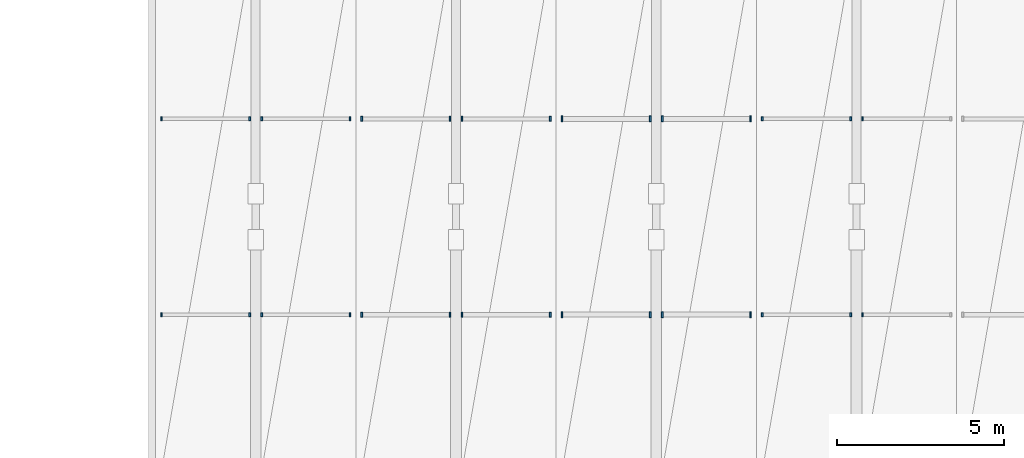
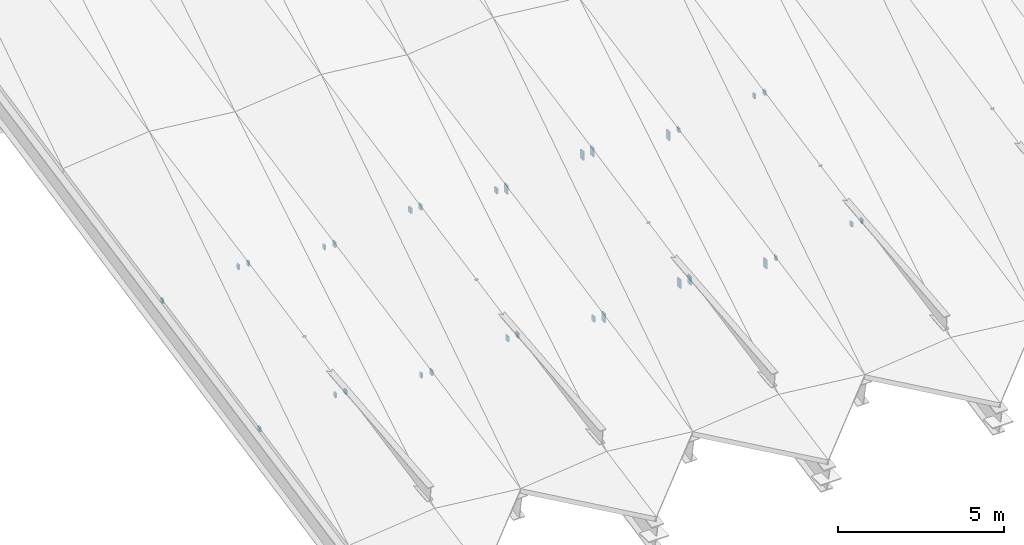
# One storey, part 32 of 52: 30 discrete accessories.
"""IFC4 building model written with IfcOpenShell, lengths in metres."""

from ifc_helpers import new_model, si_unit, direction, frame, origin, origin_2d, place, context, subcontext, project, spatial, rectangle, extrude, material, layer, layer_set, type_object, element, save


model = new_model("IFC4")

# Units and contexts
model_context = context("Model", 3, precision=1e-05, world=origin(), true_north=direction((0.0, 1.0)))
body_context = subcontext(model_context, "Body", "Model", "MODEL_VIEW")
ifc_project = project(units=[si_unit("LENGTHUNIT", "METRE"), si_unit("AREAUNIT", "SQUARE_METRE"), si_unit("VOLUMEUNIT", "CUBIC_METRE"), si_unit("PLANEANGLEUNIT", "RADIAN"), si_unit("MASSUNIT", "GRAM", prefix="KILO")], contexts=[model_context])

# Site, building, storey
site_placement = place(None, origin())
site = spatial("IfcSite", under=ifc_project, at=site_placement, CompositionType="ELEMENT")
building_placement = place(site_placement, origin())
building = spatial("IfcBuilding", under=site, at=building_placement, Name="Vaelkrest Opera House", CompositionType="ELEMENT")
storey_placement = place(building_placement, frame((0.0, 0.0, 41.39990234375)))
storey = spatial("IfcBuildingStorey", under=building, at=storey_placement, Name="ROOF", CompositionType="ELEMENT", Elevation=41.39990234375)

# Discrete accessories
ifc_material = material(Name="Steel A572 Gr50", Category="steel")
ifc_layer = layer(ifc_material, 0.320068359375)
ifc_layer_set = layer_set([ifc_layer], Name="Steel A572 Gr50")
discrete_accessory_type = type_object("IfcDiscreteAccessoryType", Name="ECP01", PredefinedType="USERDEFINED", material=ifc_layer_set)
for number, where, z_axis, x_axis, name in (
    (1, (-75.422607421875, -11.10791015625, -16.685791015625), (0.0, 0.0, 1.0), (1.0, 0.0, 0.0), "Purlin HSS end cap plate V3-01-S1-33-W0"),
    (2, (-72.777587890625, -11.10791015625, -16.36181640625), (0.0, 0.0, 1.0), (1.0, 0.0, 0.0), "Purlin HSS end cap plate V3-01-S1-33-W1"),
    (3, (-72.422607421875, -11.10791015625, -16.36181640625), (0.0, 0.0, 1.0), (1.0, 0.0, 0.0), "Purlin HSS end cap plate V3-01-S1-33-E0"),
    (4, (-69.777587890625, -11.10791015625, -16.685791015625), (0.0, 0.0, 1.0), (1.0, 0.0, 0.0), "Purlin HSS end cap plate V3-01-S1-33-E1"),
    (5, (-75.422607421875, -5.241943359375, -15.515869140625), (0.0, 0.0, 1.0), (1.0, 0.0, 0.0), "Purlin HSS end cap plate V3-01-S1-67-W0"),
    (6, (-72.777587890625, -5.241943359375, -15.19189453125), (0.0, 0.0, 1.0), (1.0, 0.0, 0.0), "Purlin HSS end cap plate V3-01-S1-67-W1"),
    (7, (-72.422607421875, -5.241943359375, -15.19189453125), (0.0, 0.0, 1.0), (1.0, 0.0, 0.0), "Purlin HSS end cap plate V3-01-S1-67-E0"),
    (8, (-69.777587890625, -5.241943359375, -15.515869140625), (0.0, 0.0, 1.0), (1.0, 0.0, 0.0), "Purlin HSS end cap plate V3-01-S1-67-E1"),
):
    element("IfcDiscreteAccessory", number, at=place(storey_placement, frame(where, z_axis=z_axis, x_axis=x_axis)), inside=storey, type_object=discrete_accessory_type, Name=name, ObjectType="CAP PLATE", PredefinedType="USERDEFINED", context=body_context, shape_type="SweptSolid", body=[
        extrude(rectangle(XDim=0.054931640625, YDim=0.1259765625, at=origin_2d()), origin(), (0.0, 0.0, 1.0), 0.16796875),
    ])
for number, where, z_axis, x_axis, name in (
    (9, (-69.422607421875, -11.10791015625, -16.7119140625), (0.0, 0.0, 1.0), (1.0, 0.0, 0.0), "Purlin HSS end cap plate V3-02-S1-33-W0"),
    (10, (-66.777587890625, -11.10791015625, -16.38818359375), (0.0, 0.0, 1.0), (1.0, 0.0, 0.0), "Purlin HSS end cap plate V3-02-S1-33-W1"),
    (11, (-66.422607421875, -11.10791015625, -16.38818359375), (0.0, 0.0, 1.0), (1.0, 0.0, 0.0), "Purlin HSS end cap plate V3-02-S1-33-E0"),
    (12, (-63.777587890625, -11.10791015625, -16.7119140625), (0.0, 0.0, 1.0), (1.0, 0.0, 0.0), "Purlin HSS end cap plate V3-02-S1-33-E1"),
    (13, (-69.422607421875, -5.241943359375, -15.5419921875), (0.0, 0.0, 1.0), (1.0, 0.0, 0.0), "Purlin HSS end cap plate V3-02-S1-67-W0"),
    (14, (-66.777587890625, -5.241943359375, -15.2177734375), (0.0, 0.0, 1.0), (1.0, 0.0, 0.0), "Purlin HSS end cap plate V3-02-S1-67-W1"),
    (15, (-66.422607421875, -5.241943359375, -15.2177734375), (0.0, 0.0, 1.0), (1.0, 0.0, 0.0), "Purlin HSS end cap plate V3-02-S1-67-E0"),
    (16, (-63.777587890625, -5.241943359375, -15.5419921875), (0.0, 0.0, 1.0), (1.0, 0.0, 0.0), "Purlin HSS end cap plate V3-02-S1-67-E1"),
):
    element("IfcDiscreteAccessory", number, at=place(storey_placement, frame(where, z_axis=z_axis, x_axis=x_axis)), inside=storey, type_object=discrete_accessory_type, Name=name, ObjectType="CAP PLATE", PredefinedType="USERDEFINED", context=body_context, shape_type="SweptSolid", body=[
        extrude(rectangle(XDim=0.054931640625, YDim=0.15087890625, at=origin_2d()), origin(), (0.0, 0.0, 1.0), 0.194091796875),
    ])
for number, where, z_axis, x_axis, name in (
    (17, (-63.422607421875, -11.10791015625, -16.83935546875), (0.0, 0.0, 1.0), (1.0, 0.0, 0.0), "Purlin HSS end cap plate V3-03-S1-33-W0"),
    (18, (-60.777587890625, -11.10791015625, -16.515625), (0.0, 0.0, 1.0), (1.0, 0.0, 0.0), "Purlin HSS end cap plate V3-03-S1-33-W1"),
    (19, (-60.422607421875, -11.10791015625, -16.515625), (0.0, 0.0, 1.0), (1.0, 0.0, 0.0), "Purlin HSS end cap plate V3-03-S1-33-E0"),
    (20, (-57.777587890625, -11.10791015625, -16.83935546875), (0.0, 0.0, 1.0), (1.0, 0.0, 0.0), "Purlin HSS end cap plate V3-03-S1-33-E1"),
    (21, (-63.422607421875, -5.241943359375, -15.66943359375), (0.0, 0.0, 1.0), (1.0, 0.0, 0.0), "Purlin HSS end cap plate V3-03-S1-67-W0"),
    (22, (-60.777587890625, -5.241943359375, -15.34521484375), (0.0, 0.0, 1.0), (1.0, 0.0, 0.0), "Purlin HSS end cap plate V3-03-S1-67-W1"),
    (23, (-60.422607421875, -5.241943359375, -15.34521484375), (0.0, 0.0, 1.0), (1.0, 0.0, 0.0), "Purlin HSS end cap plate V3-03-S1-67-E0"),
    (24, (-57.777587890625, -5.241943359375, -15.66943359375), (0.0, 0.0, 1.0), (1.0, 0.0, 0.0), "Purlin HSS end cap plate V3-03-S1-67-E1"),
):
    element("IfcDiscreteAccessory", number, at=place(storey_placement, frame(where, z_axis=z_axis, x_axis=x_axis)), inside=storey, type_object=discrete_accessory_type, Name=name, ObjectType="CAP PLATE", PredefinedType="USERDEFINED", context=body_context, shape_type="SweptSolid", body=[
        extrude(rectangle(XDim=0.054931640625, YDim=0.176025390625, at=origin_2d()), origin(), (0.0, 0.0, 1.0), 0.321044921875),
    ])
for number, where, z_axis, x_axis, name in (
    (25, (-57.422607421875, -11.10791015625, -16.685791015625), (0.0, 0.0, 1.0), (1.0, 0.0, 0.0), "Purlin HSS end cap plate V3-04-S1-33-W0"),
    (26, (-54.777587890625, -11.10791015625, -16.36181640625), (0.0, 0.0, 1.0), (1.0, 0.0, 0.0), "Purlin HSS end cap plate V3-04-S1-33-W1"),
    (27, (-54.422607421875, -11.10791015625, -16.36181640625), (0.0, 0.0, 1.0), (1.0, 0.0, 0.0), "Purlin HSS end cap plate V3-04-S1-33-E0"),
    (28, (-57.422607421875, -5.241943359375, -15.515869140625), (0.0, 0.0, 1.0), (1.0, 0.0, 0.0), "Purlin HSS end cap plate V3-04-S1-67-W0"),
    (29, (-54.777587890625, -5.241943359375, -15.19189453125), (0.0, 0.0, 1.0), (1.0, 0.0, 0.0), "Purlin HSS end cap plate V3-04-S1-67-W1"),
    (30, (-54.422607421875, -5.241943359375, -15.19189453125), (0.0, 0.0, 1.0), (1.0, 0.0, 0.0), "Purlin HSS end cap plate V3-04-S1-67-E0"),
):
    element("IfcDiscreteAccessory", number, at=place(storey_placement, frame(where, z_axis=z_axis, x_axis=x_axis)), inside=storey, type_object=discrete_accessory_type, Name=name, ObjectType="CAP PLATE", PredefinedType="USERDEFINED", context=body_context, shape_type="SweptSolid", body=[
        extrude(rectangle(XDim=0.054931640625, YDim=0.1259765625, at=origin_2d()), origin(), (0.0, 0.0, 1.0), 0.16796875),
    ])

save(model, "model.ifc")
